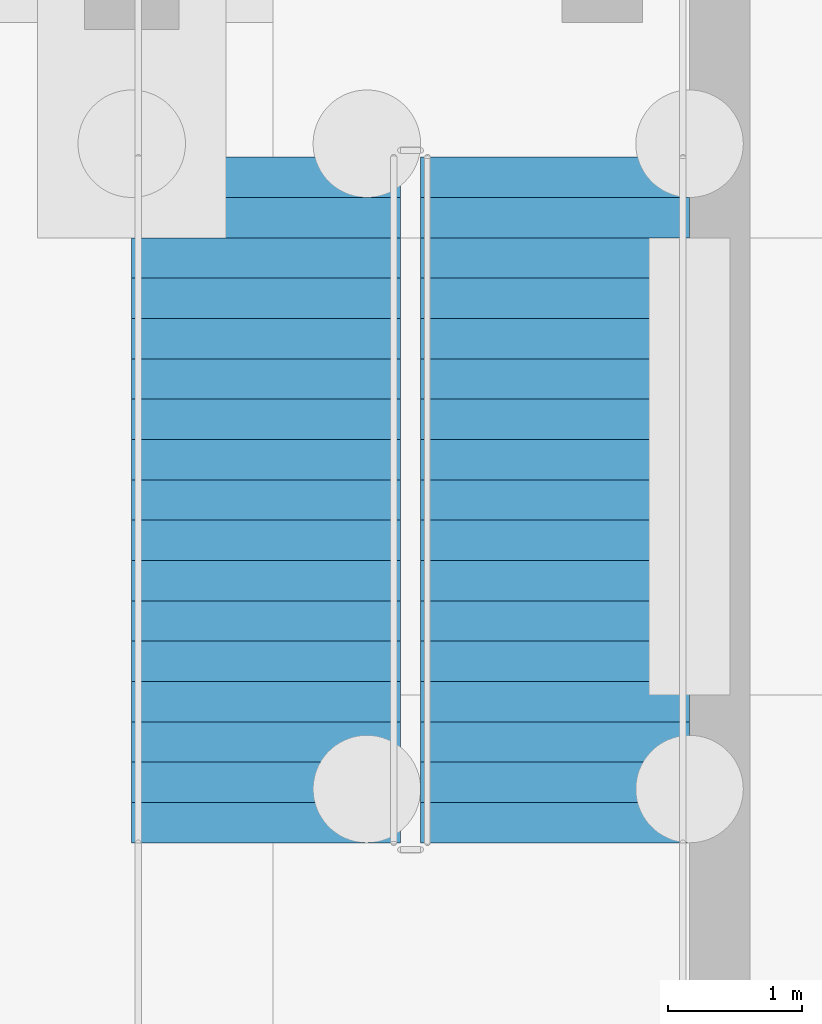
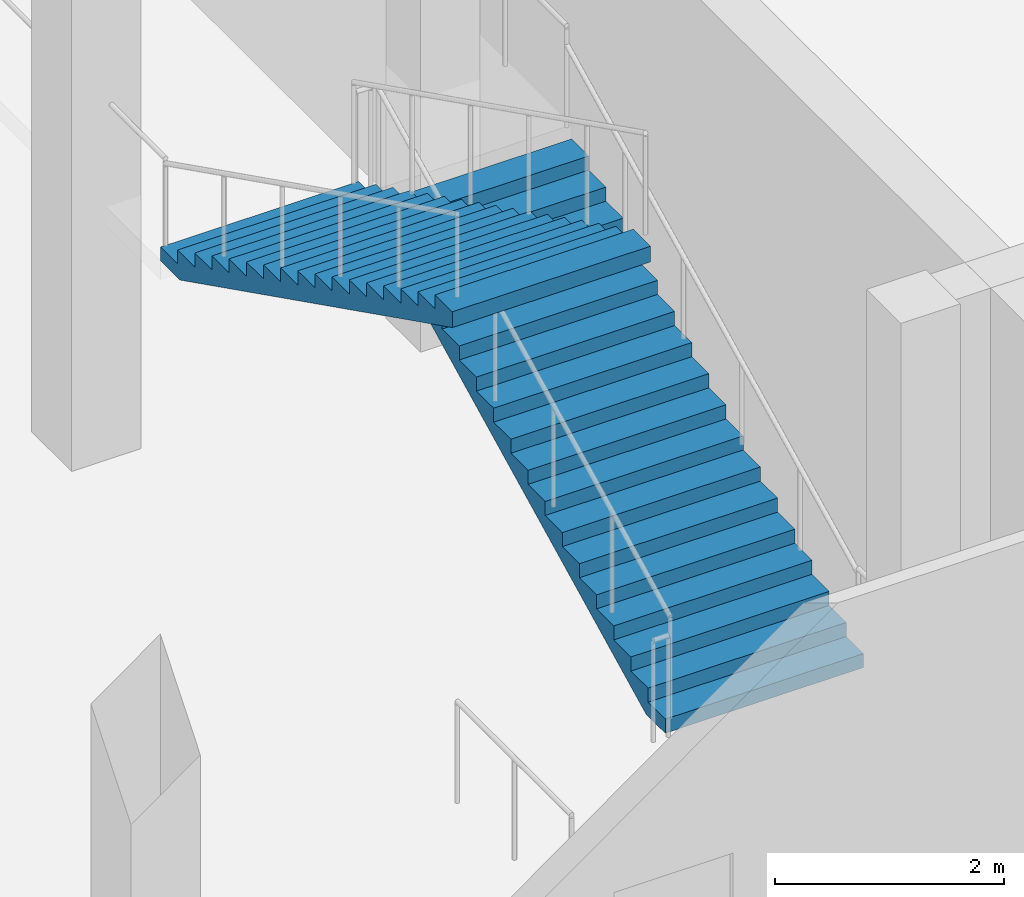
# One storey, part 58 of 129: 2 stair flights, 1 element without a shape of its own.
"""IFC4 building model written with IfcOpenShell, lengths in metres."""

from ifc_helpers import new_model, si_unit, direction, frame, origin, place, context, subcontext, project, spatial, polyline, outline, extrude, material, type_object, element, aggregate, save


model = new_model("IFC4")

# Units and contexts
model_context = context("Model", 3, precision=1e-05, world=origin(), true_north=direction((0.0, 1.0)))
body_context = subcontext(model_context, "Body", "Model", "MODEL_VIEW")
ifc_project = project(units=[si_unit("LENGTHUNIT", "METRE"), si_unit("AREAUNIT", "SQUARE_METRE"), si_unit("VOLUMEUNIT", "CUBIC_METRE"), si_unit("PLANEANGLEUNIT", "RADIAN"), si_unit("MASSUNIT", "GRAM", prefix="KILO")], contexts=[model_context])

# Site, building, storey
site_placement = place(None, origin())
site = spatial("IfcSite", under=ifc_project, at=site_placement, CompositionType="ELEMENT")
building_placement = place(site_placement, origin())
building = spatial("IfcBuilding", under=site, at=building_placement, Name="Kiln Court Media Centre", CompositionType="ELEMENT")
storey_placement = place(building_placement, origin())
storey = spatial("IfcBuildingStorey", under=building, at=storey_placement, Name="L00", CompositionType="ELEMENT", Elevation=0.0)

# Stair, stair flights
ifc_material_1 = material(Name="Concrete C40/50", Category="concrete")
stair_type = type_object("IfcStairType", Name="Concrete C40/50 dog-leg stair 2000 wide, 150 riser", PredefinedType="HALF_TURN_STAIR", material=ifc_material_1)
stair_placement = place(storey_placement, origin())
stair = element("IfcStair", 1, at=stair_placement, inside=storey, type_object=stair_type, Name="ST-F1 L00", PredefinedType="HALF_TURN_STAIR")
ifc_material_2 = material(Name="Concrete C40/50", Category="concrete")
stair_flight_type = type_object("IfcStairFlightType", Name="Concrete C40/50 stair flight 2000 wide, 150 riser, 300 going", PredefinedType="STRAIGHT", material=ifc_material_2)
stair_flight_1_placement = place(storey_placement, frame((57.800048828125, 35.60009765625, 0.0), z_axis=(0.0, 0.0, 1.0), x_axis=(0.0, 1.0, 0.0)))
stair_flight_1 = element("IfcStairFlight", 2, at=stair_flight_1_placement, type_object=stair_flight_type, Name="L00-ST-5017 flight 5068", NumberOfRisers=18, NumberOfTreads=17, PredefinedType="STRAIGHT", RiserHeight=0.15, TreadLength=0.3, context=body_context, shape_type="SweptSolid", body=[
    extrude(outline(polyline([(0.0, 0.0), (0.0, 0.14990234375), (0.300048828125, 0.14990234375), (0.300048828125, 0.300048828125), (0.60009765625, 0.300048828125), (0.60009765625, 0.449951171875), (0.89990234375, 0.449951171875), (0.89990234375, 0.60009765625), (1.199951171875, 0.60009765625), (1.199951171875, 0.75), (1.5, 0.75), (1.5, 0.89990234375), (1.800048828125, 0.89990234375), (1.800048828125, 1.050048828125), (2.10009765625, 1.050048828125), (2.10009765625, 1.199951171875), (2.39990234375, 1.199951171875), (2.39990234375, 1.35009765625), (2.699951171875, 1.35009765625), (2.699951171875, 1.5), (3.0, 1.5), (3.0, 1.64990234375), (3.300048828125, 1.64990234375), (3.300048828125, 1.800048828125), (3.60009765625, 1.800048828125), (3.60009765625, 1.949951171875), (3.89990234375, 1.949951171875), (3.89990234375, 2.10009765625), (4.199951171875, 2.10009765625), (4.199951171875, 2.25), (4.5, 2.25), (4.5, 2.39990234375), (4.800048828125, 2.39990234375), (4.800048828125, 2.550048828125), (5.10009765625, 2.550048828125), (5.10009765625, 2.699951171875), (5.10009765625, 2.38232421875), (0.335205078125, 0.0), (0.0, 0.0)])), frame((0.0, 1.0, 0.0), z_axis=(0.0, -1.0, 0.0), x_axis=(1.0, 0.0, 0.0)), (0.0, 0.0, 1.0), 2.0),
])
stair_flight_2_placement = place(storey_placement, frame((55.64990234375, 40.699951171875, 2.699951171875), z_axis=(0.0, 0.0, 1.0), x_axis=(0.0, -1.0, 0.0)))
stair_flight_2 = element("IfcStairFlight", 3, at=stair_flight_2_placement, type_object=stair_flight_type, Name="L00-ST-5017 flight 5069", NumberOfRisers=18, NumberOfTreads=17, PredefinedType="STRAIGHT", RiserHeight=0.15, TreadLength=0.3, context=body_context, shape_type="SweptSolid", body=[
    extrude(outline(polyline([(0.0, 0.0), (0.0, 0.14990234375), (0.300048828125, 0.14990234375), (0.300048828125, 0.300048828125), (0.60009765625, 0.300048828125), (0.60009765625, 0.449951171875), (0.89990234375, 0.449951171875), (0.89990234375, 0.60009765625), (1.199951171875, 0.60009765625), (1.199951171875, 0.75), (1.5, 0.75), (1.5, 0.89990234375), (1.800048828125, 0.89990234375), (1.800048828125, 1.050048828125), (2.10009765625, 1.050048828125), (2.10009765625, 1.199951171875), (2.39990234375, 1.199951171875), (2.39990234375, 1.35009765625), (2.699951171875, 1.35009765625), (2.699951171875, 1.5), (3.0, 1.5), (3.0, 1.64990234375), (3.300048828125, 1.64990234375), (3.300048828125, 1.800048828125), (3.60009765625, 1.800048828125), (3.60009765625, 1.949951171875), (3.89990234375, 1.949951171875), (3.89990234375, 2.10009765625), (4.199951171875, 2.10009765625), (4.199951171875, 2.25), (4.5, 2.25), (4.5, 2.39990234375), (4.800048828125, 2.39990234375), (4.800048828125, 2.550048828125), (5.10009765625, 2.550048828125), (5.10009765625, 2.699951171875), (5.10009765625, 2.38232421875), (0.335205078125, 0.0), (0.0, 0.0)])), frame((0.0, 1.0, 0.0), z_axis=(0.0, -1.0, 0.0), x_axis=(1.0, 0.0, 0.0)), (0.0, 0.0, 1.0), 2.0),
])
aggregate(stair, [stair_flight_1, stair_flight_2])

save(model, "model.ifc")
